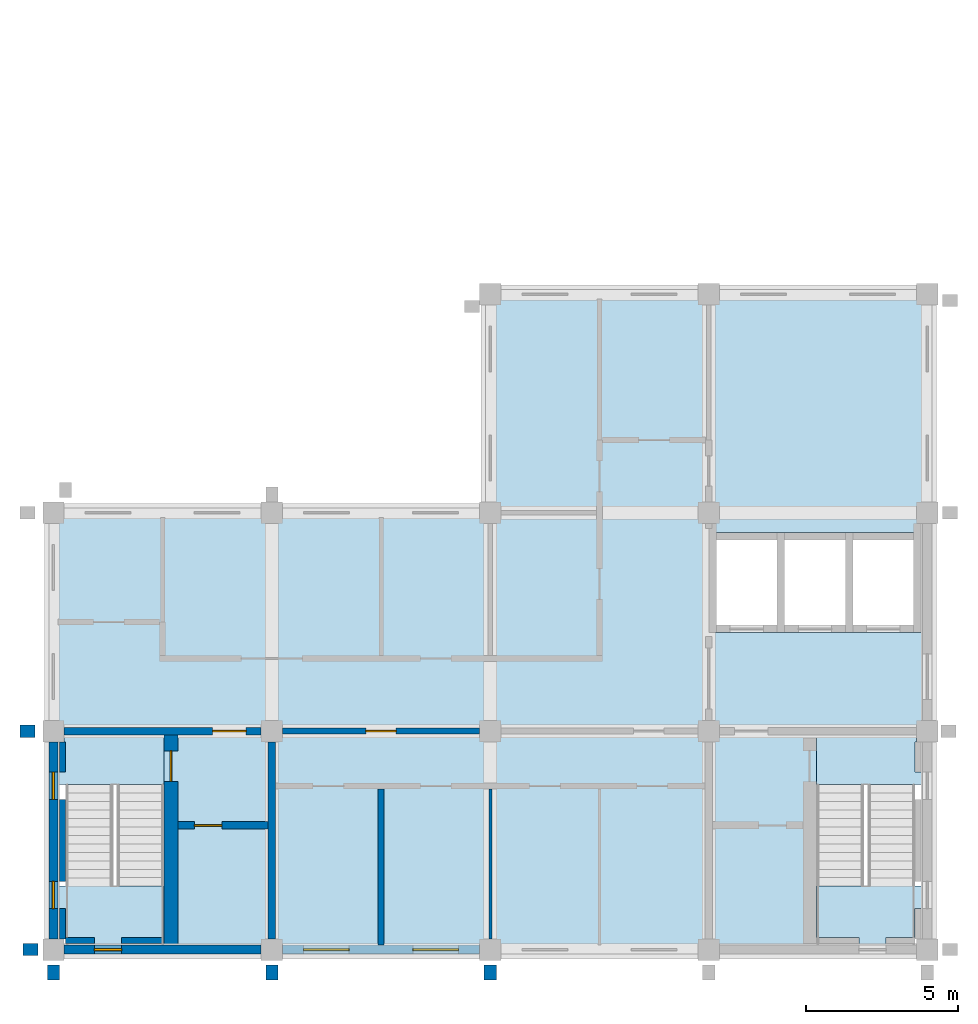
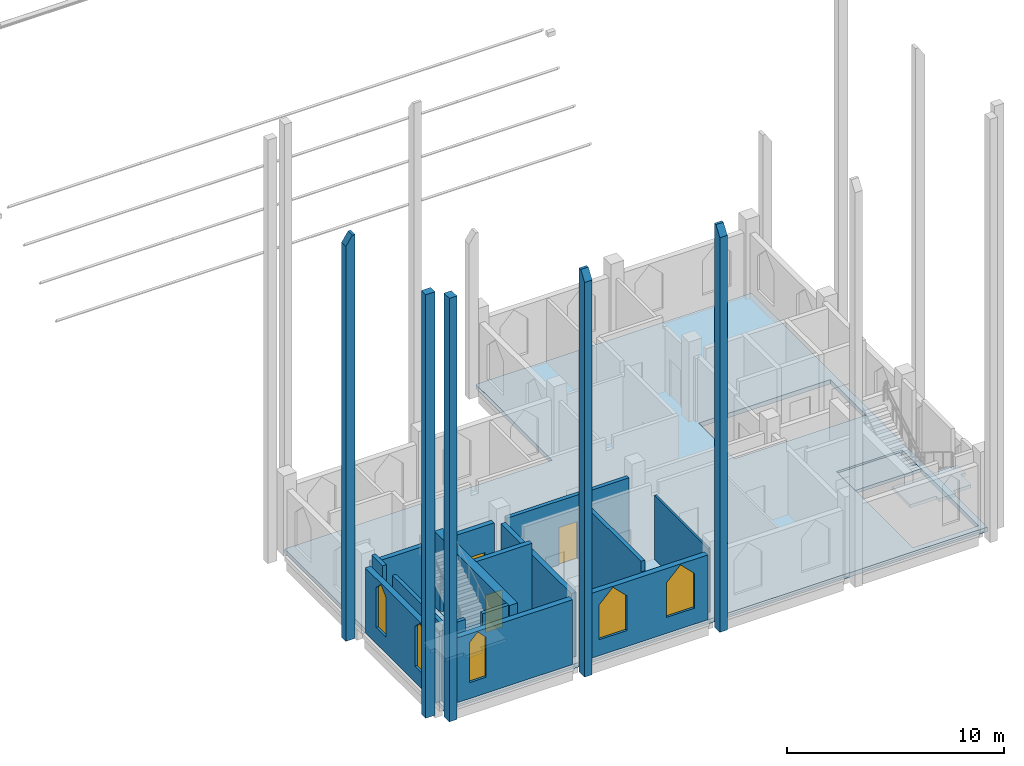
# One storey, part 3 of 7: 20 walls, 5 slabs, 5 windows, 4 doors, 9 openings, 2 elements without a shape of their own.
"""IFC4 building model written with IfcOpenShell, lengths in metres."""

from ifc_helpers import new_model, si_unit, direction, frame, frame_2d, origin, place, context, subcontext, project, spatial, polyline, rectangle, outline, extrude, material, layer, layer_set, type_object, element, fill, aggregate, save


model = new_model("IFC4")

# Units and contexts
model_context = context("Model", 3, precision=1e-05, world=origin(), true_north=direction((0.0, 1.0)))
body_context = subcontext(model_context, "Body", "Model", "MODEL_VIEW")
ifc_project = project(units=[si_unit("LENGTHUNIT", "METRE"), si_unit("AREAUNIT", "SQUARE_METRE"), si_unit("VOLUMEUNIT", "CUBIC_METRE"), si_unit("PLANEANGLEUNIT", "RADIAN"), si_unit("MASSUNIT", "GRAM", prefix="KILO")], contexts=[model_context])

# Site, building, storey
site_placement = place(None, origin())
site = spatial("IfcSite", under=ifc_project, at=site_placement, CompositionType="ELEMENT")
building_placement = place(site_placement, origin())
building = spatial("IfcBuilding", under=site, at=building_placement, Name="Silangan Lancet Faculty of Sciences", CompositionType="ELEMENT")
storey_placement = place(building_placement, frame((0.0, 0.0, 58.800048828125)))
storey = spatial("IfcBuildingStorey", under=building, at=storey_placement, Name="L12", CompositionType="ELEMENT", Elevation=58.800048828125)

# Slab
ifc_material_1 = material(Name="Concrete C35/45", Category="concrete")
ifc_layer_1 = layer(ifc_material_1, 0.25)
ifc_layer_set_1 = layer_set([ifc_layer_1], Name="Concrete C35/45")
slab_type_1 = type_object("IfcSlabType", Name="SLAB FLOOR 250", PredefinedType="FLOOR", material=ifc_layer_set_1)
slab_1_placement = place(storey_placement, frame((0.0, 0.0, -0.25)))
element("IfcSlab", 1, at=slab_1_placement, inside=storey, type_object=slab_type_1, Name="SLAB-L12-ST", PredefinedType="FLOOR", context=body_context, shape_type="SweptSolid", body=[
    extrude(outline(polyline([(0.0, 14.550048828125), (0.0, -0.14990234375), (28.949951171875, -0.14990234375), (28.949951171875, 21.60009765625), (14.25, 21.60009765625), (14.25, 14.550048828125), (0.0, 14.550048828125)]), holes=[polyline([(0.14990234375, 0.14990234375), (0.14990234375, 7.199951171875), (3.64990234375, 7.199951171875), (3.64990234375, 0.14990234375), (0.14990234375, 0.14990234375)]), polyline([(25.14990234375, 7.199951171875), (28.64990234375, 7.199951171875), (28.64990234375, 0.14990234375), (25.14990234375, 0.14990234375), (25.14990234375, 7.199951171875)]), polyline([(21.60009765625, 13.75), (28.60009765625, 13.75), (28.60009765625, 10.449951171875), (21.60009765625, 10.449951171875), (21.60009765625, 13.75)])]), origin(), (0.0, 0.0, 1.0), 0.25),
])

# Stair, slabs
ifc_material_2 = material(Name="Concrete C40/50", Category="concrete")
stair_type = type_object("IfcStairType", Name="TURRET STAIR 1550 TWO-FLIGHT", PredefinedType="HALF_TURN_STAIR", material=ifc_material_2)
stair_1_placement = place(storey_placement, origin())
stair_1 = element("IfcStair", 2, at=stair_1_placement, inside=storey, type_object=stair_type, Name="ST-A stair L12", PredefinedType="HALF_TURN_STAIR")
ifc_material_3 = material(Name="Concrete C40/50", Category="concrete")
ifc_layer_2 = layer(ifc_material_3, 0.179931640625)
ifc_layer_set_2 = layer_set([ifc_layer_2], Name="Concrete C40/50")
slab_type_2 = type_object("IfcSlabType", Name="TURRET STAIR LANDING RC 180", PredefinedType="LANDING", material=ifc_layer_set_2)
slab_2_placement = place(storey_placement, frame((0.0, 0.0, -0.179931640625)))
slab_2 = element("IfcSlab", 3, at=slab_2_placement, type_object=slab_type_2, Name="STR1 landing 1", PredefinedType="LANDING", context=body_context, shape_type="SweptSolid", body=[
    extrude(outline(polyline([(0.35009765625, 6.85009765625), (0.35009765625, 7.074951171875), (3.64990234375, 7.074951171875), (3.64990234375, 5.449951171875), (0.14990234375, 5.449951171875), (0.14990234375, 5.85009765625), (0.39990234375, 5.85009765625), (0.39990234375, 6.85009765625), (0.35009765625, 6.85009765625)])), origin(), (0.0, 0.0, 1.0), 0.179931640625),
])
slab_3_placement = place(storey_placement, frame((0.0, 0.0, 2.070068359375)))
slab_3 = element("IfcSlab", 4, at=slab_3_placement, type_object=slab_type_2, Name="STR1 landing 2", PredefinedType="LANDING", context=body_context, shape_type="SweptSolid", body=[
    extrude(outline(polyline([(1.35009765625, 0.14990234375), (1.35009765625, 0.39990234375), (0.39990234375, 0.39990234375), (0.39990234375, 1.35009765625), (0.14990234375, 1.35009765625), (0.14990234375, 2.090087890625), (3.64990234375, 2.090087890625), (3.64990234375, 0.39990234375), (2.25, 0.39990234375), (2.25, 0.14990234375), (1.35009765625, 0.14990234375)])), origin(), (0.0, 0.0, 1.0), 0.179931640625),
])
aggregate(stair_1, [slab_2, slab_3])

stair_2_placement = place(storey_placement, origin())
stair_2 = element("IfcStair", 5, at=stair_2_placement, inside=storey, type_object=stair_type, Name="ST-B stair L12", PredefinedType="HALF_TURN_STAIR")
slab_4_placement = place(storey_placement, frame((0.0, 0.0, -0.179931640625)))
slab_4 = element("IfcSlab", 6, at=slab_4_placement, type_object=slab_type_2, Name="STR2 landing 1", PredefinedType="LANDING", context=body_context, shape_type="SweptSolid", body=[
    extrude(outline(polyline([(28.39990234375, 6.85009765625), (28.39990234375, 5.85009765625), (28.64990234375, 5.85009765625), (28.64990234375, 5.449951171875), (25.14990234375, 5.449951171875), (25.14990234375, 7.074951171875), (28.449951171875, 7.074951171875), (28.449951171875, 6.85009765625), (28.39990234375, 6.85009765625)])), origin(), (0.0, 0.0, 1.0), 0.179931640625),
])
slab_5_placement = place(storey_placement, frame((0.0, 0.0, 2.070068359375)))
slab_5 = element("IfcSlab", 7, at=slab_5_placement, type_object=slab_type_2, Name="STR2 landing 2", PredefinedType="LANDING", context=body_context, shape_type="SweptSolid", body=[
    extrude(outline(polyline([(26.550048828125, 0.14990234375), (26.550048828125, 0.39990234375), (25.14990234375, 0.39990234375), (25.14990234375, 2.090087890625), (28.64990234375, 2.090087890625), (28.64990234375, 1.35009765625), (28.39990234375, 1.35009765625), (28.39990234375, 0.39990234375), (27.449951171875, 0.39990234375), (27.449951171875, 0.14990234375), (26.550048828125, 0.14990234375)])), origin(), (0.0, 0.0, 1.0), 0.179931640625),
])
aggregate(stair_2, [slab_4, slab_5])

# Wall, openings, windows
ifc_material_4 = material(Name="Concrete C40/50 precast", Category="concrete")
ifc_layer_3 = layer(ifc_material_4, 0.300048828125)
ifc_layer_set_3 = layer_set([ifc_layer_3], Name="Concrete C40/50 precast")
wall_type_1 = type_object("IfcWallType", Name="EW1 Precast cladding wall", PredefinedType="STANDARD", material=ifc_layer_set_3)
wall_1_placement = place(storey_placement, frame((7.550048828125, 0.0, 0.0), z_axis=(0.0, 0.0, 1.0), x_axis=(1.0, 0.0, 0.0)))
wall_1 = element("IfcWall", 8, at=wall_1_placement, inside=storey, type_object=wall_type_1, Name="EW-L12-S-ST-01", PredefinedType="STANDARD", context=body_context, shape_type="SweptSolid", body=[
    extrude(rectangle(XDim=6.5, YDim=0.300048828125, at=frame_2d((3.25, 0.0))), origin(), (0.0, 0.0, 1.0), 3.64990234375),
])
opening_1_placement = place(wall_1_placement, frame((0.699951171875, 0.0, 0.89990234375)))
opening_1 = element("IfcOpeningElement", 9, at=opening_1_placement, cuts=wall_1, Name="Opening W23", PredefinedType="OPENING", context=body_context, shape_type="SweptSolid", body=[
    extrude(outline(polyline([(0.0, 0.0), (1.5, 0.0), (1.5, 1.949951171875), (0.75, 2.699951171875), (0.0, 1.949951171875), (0.0, 0.0)])), frame((0.0, 0.159912109375, 0.0), z_axis=(0.0, -1.0, 0.0), x_axis=(1.0, 0.0, 0.0)), (0.0, 0.0, 1.0), 0.320068359375),
])
opening_2_placement = place(wall_1_placement, frame((4.300048828125, 0.0, 0.89990234375)))
opening_2 = element("IfcOpeningElement", 10, at=opening_2_placement, cuts=wall_1, Name="Opening W23", PredefinedType="OPENING", context=body_context, shape_type="SweptSolid", body=[
    extrude(outline(polyline([(0.0, 0.0), (1.5, 0.0), (1.5, 1.949951171875), (0.75, 2.699951171875), (0.0, 1.949951171875), (0.0, 0.0)])), frame((0.0, 0.159912109375, 0.0), z_axis=(0.0, -1.0, 0.0), x_axis=(1.0, 0.0, 0.0)), (0.0, 0.0, 1.0), 0.320068359375),
])
ifc_material_5 = material(Name="Aluminium frame, laminated double glazing", Category="aluminium")
window_type_1 = type_object("IfcWindowType", Name="W23 Lancet window 1500 x 2700", PartitioningType="SINGLE_PANEL", PredefinedType="WINDOW", material=ifc_material_5)
window_1_placement = place(opening_1_placement, origin())
window_1 = element("IfcWindow", 11, at=window_1_placement, inside=storey, type_object=window_type_1, Name="WIN-L12-S-ST-01a", OverallHeight=2.699951171875, OverallWidth=1.5, PartitioningType="SINGLE_PANEL", PredefinedType="WINDOW", context=body_context, shape_type="SweptSolid", body=[
    extrude(outline(polyline([(0.0, 0.0), (1.5, 0.0), (1.5, 1.949951171875), (0.75, 2.699951171875), (0.0, 1.949951171875), (0.0, 0.0)])), frame((0.0, 0.030029296875, 0.0), z_axis=(0.0, -1.0, 0.0), x_axis=(1.0, 0.0, 0.0)), (0.0, 0.0, 1.0), 0.06005859375),
])
fill(opening_1, window_1)
window_2_placement = place(opening_2_placement, origin())
window_2 = element("IfcWindow", 12, at=window_2_placement, inside=storey, type_object=window_type_1, Name="WIN-L12-S-ST-01b", OverallHeight=2.699951171875, OverallWidth=1.5, PartitioningType="SINGLE_PANEL", PredefinedType="WINDOW", context=body_context, shape_type="SweptSolid", body=[
    extrude(outline(polyline([(0.0, 0.0), (1.5, 0.0), (1.5, 1.949951171875), (0.75, 2.699951171875), (0.0, 1.949951171875), (0.0, 0.0)])), frame((0.0, 0.030029296875, 0.0), z_axis=(0.0, -1.0, 0.0), x_axis=(1.0, 0.0, 0.0)), (0.0, 0.0, 1.0), 0.06005859375),
])
fill(opening_2, window_2)

ifc_material_6 = material(Name="Concrete C40/50 precast", Category="concrete")
ifc_layer_4 = layer(ifc_material_6, 0.300048828125)
ifc_layer_set_4 = layer_set([ifc_layer_4], Name="Concrete C40/50 precast")
wall_type_2 = type_object("IfcWallType", Name="EW2 Turret enclosure wall", PredefinedType="STANDARD", material=ifc_layer_set_4)
wall_2_placement = place(storey_placement, frame((0.0, 0.35009765625, 0.0), z_axis=(0.0, 0.0, 1.0), x_axis=(0.0, 1.0, 0.0)))
wall_2 = element("IfcWall", 13, at=wall_2_placement, inside=storey, type_object=wall_type_2, Name="EW-L12-W-ST-U-00", PredefinedType="STANDARD", context=body_context, shape_type="SweptSolid", body=[
    extrude(rectangle(XDim=6.5, YDim=0.300048828125, at=frame_2d((3.25, 0.0))), origin(), (0.0, 0.0, 1.0), 3.64990234375),
])
opening_3_placement = place(wall_2_placement, frame((1.0, 0.0, 0.89990234375)))
opening_3 = element("IfcOpeningElement", 14, at=opening_3_placement, cuts=wall_2, Name="Opening W22", PredefinedType="OPENING", context=body_context, shape_type="SweptSolid", body=[
    extrude(outline(polyline([(0.0, 0.0), (0.89990234375, 0.0), (0.89990234375, 2.25), (0.449951171875, 2.699951171875), (0.0, 2.25), (0.0, 0.0)])), frame((0.0, 0.159912109375, 0.0), z_axis=(0.0, -1.0, 0.0), x_axis=(1.0, 0.0, 0.0)), (0.0, 0.0, 1.0), 0.320068359375),
])
opening_4_placement = place(wall_2_placement, frame((4.60009765625, 0.0, 0.89990234375)))
opening_4 = element("IfcOpeningElement", 15, at=opening_4_placement, cuts=wall_2, Name="Opening W22", PredefinedType="OPENING", context=body_context, shape_type="SweptSolid", body=[
    extrude(outline(polyline([(0.0, 0.0), (0.89990234375, 0.0), (0.89990234375, 2.25), (0.449951171875, 2.699951171875), (0.0, 2.25), (0.0, 0.0)])), frame((0.0, 0.159912109375, 0.0), z_axis=(0.0, -1.0, 0.0), x_axis=(1.0, 0.0, 0.0)), (0.0, 0.0, 1.0), 0.320068359375),
])
ifc_material_7 = material(Name="Aluminium frame, laminated double glazing", Category="aluminium")
window_type_2 = type_object("IfcWindowType", Name="W22 Lancet window 900 x 2700", PartitioningType="SINGLE_PANEL", PredefinedType="WINDOW", material=ifc_material_7)
window_3_placement = place(opening_3_placement, origin())
window_3 = element("IfcWindow", 16, at=window_3_placement, inside=storey, type_object=window_type_2, Name="WIN-L12-W-ST-U-00a", OverallHeight=2.699951171875, OverallWidth=0.89990234375, PartitioningType="SINGLE_PANEL", PredefinedType="WINDOW", context=body_context, shape_type="SweptSolid", body=[
    extrude(outline(polyline([(0.0, 0.0), (0.89990234375, 0.0), (0.89990234375, 2.25), (0.449951171875, 2.699951171875), (0.0, 2.25), (0.0, 0.0)])), frame((0.0, 0.030029296875, 0.0), z_axis=(0.0, -1.0, 0.0), x_axis=(1.0, 0.0, 0.0)), (0.0, 0.0, 1.0), 0.06005859375),
])
fill(opening_3, window_3)
window_4_placement = place(opening_4_placement, origin())
window_4 = element("IfcWindow", 17, at=window_4_placement, inside=storey, type_object=window_type_2, Name="WIN-L12-W-ST-U-00b", OverallHeight=2.699951171875, OverallWidth=0.89990234375, PartitioningType="SINGLE_PANEL", PredefinedType="WINDOW", context=body_context, shape_type="SweptSolid", body=[
    extrude(outline(polyline([(0.0, 0.0), (0.89990234375, 0.0), (0.89990234375, 2.25), (0.449951171875, 2.699951171875), (0.0, 2.25), (0.0, 0.0)])), frame((0.0, 0.030029296875, 0.0), z_axis=(0.0, -1.0, 0.0), x_axis=(1.0, 0.0, 0.0)), (0.0, 0.0, 1.0), 0.06005859375),
])
fill(opening_4, window_4)

# Wall, opening, window
wall_3_placement = place(storey_placement, frame((0.35009765625, 0.0, 0.0), z_axis=(0.0, 0.0, 1.0), x_axis=(1.0, 0.0, 0.0)))
wall_3 = element("IfcWall", 18, at=wall_3_placement, inside=storey, type_object=wall_type_2, Name="EW-L12-S-ST-00", PredefinedType="STANDARD", context=body_context, shape_type="SweptSolid", body=[
    extrude(rectangle(XDim=6.5, YDim=0.300048828125, at=frame_2d((3.25, 0.0))), origin(), (0.0, 0.0, 1.0), 3.64990234375),
])
opening_5_placement = place(wall_3_placement, frame((1.0, 0.0, 0.89990234375)))
opening_5 = element("IfcOpeningElement", 19, at=opening_5_placement, cuts=wall_3, Name="Opening W22", PredefinedType="OPENING", context=body_context, shape_type="SweptSolid", body=[
    extrude(outline(polyline([(0.0, 0.0), (0.89990234375, 0.0), (0.89990234375, 2.25), (0.449951171875, 2.699951171875), (0.0, 2.25), (0.0, 0.0)])), frame((0.0, 0.159912109375, 0.0), z_axis=(0.0, -1.0, 0.0), x_axis=(1.0, 0.0, 0.0)), (0.0, 0.0, 1.0), 0.320068359375),
])
window_5_placement = place(opening_5_placement, origin())
window_5 = element("IfcWindow", 20, at=window_5_placement, inside=storey, type_object=window_type_2, Name="WIN-L12-S-ST-00a", OverallHeight=2.699951171875, OverallWidth=0.89990234375, PartitioningType="SINGLE_PANEL", PredefinedType="WINDOW", context=body_context, shape_type="SweptSolid", body=[
    extrude(outline(polyline([(0.0, 0.0), (0.89990234375, 0.0), (0.89990234375, 2.25), (0.449951171875, 2.699951171875), (0.0, 2.25), (0.0, 0.0)])), frame((0.0, 0.030029296875, 0.0), z_axis=(0.0, -1.0, 0.0), x_axis=(1.0, 0.0, 0.0)), (0.0, 0.0, 1.0), 0.06005859375),
])
fill(opening_5, window_5)

# Walls
ifc_material_8 = material(Name="Concrete C40/50 precast", Category="concrete")
ifc_layer_5 = layer(ifc_material_8, 0.39990234375)
ifc_layer_set_5 = layer_set([ifc_layer_5], Name="Concrete C40/50 precast")
wall_type_3 = type_object("IfcWallType", Name="FN13 Buttress Fin column line stage 4 23850", PredefinedType="POLYGONAL", material=ifc_layer_set_5)
for number, where, z_axis, x_axis, name in (
    (21, (-0.5, 0.0, -0.25), (0.0, 0.0, 1.0), (-1.0, 0.0, 0.0), "FINC-W-ST-01-S4"),
    (22, (0.0, -0.5, -0.25), (0.0, 0.0, 1.0), (0.0, -1.0, 0.0), "FINC-S-ST-01-S4"),
):
    element("IfcWall", number, at=place(storey_placement, frame(where, z_axis=z_axis, x_axis=x_axis)), inside=storey, type_object=wall_type_3, Name=name, PredefinedType="POLYGONAL", context=body_context, shape_type="SweptSolid", body=[
        extrude(outline(polyline([(0.5, 0.0), (0.5, 23.849853515625), (0.0, 23.849853515625), (0.0, 0.0), (0.5, 0.0)])), frame((0.0, 0.199951171875, 0.0), z_axis=(0.0, -1.0, 0.0), x_axis=(1.0, 0.0, 0.0)), (0.0, 0.0, 1.0), 0.39990234375),
    ])
ifc_material_9 = material(Name="Concrete C40/50 precast", Category="concrete")
ifc_layer_6 = layer(ifc_material_9, 0.39990234375)
ifc_layer_set_6 = layer_set([ifc_layer_6], Name="Concrete C40/50 precast")
wall_type_4 = type_object("IfcWallType", Name="FN17 Buttress Fin column line stage 4 22750", PredefinedType="POLYGONAL", material=ifc_layer_set_6)
wall_4_placement = place(storey_placement, frame((-0.60009765625, 7.199951171875, -0.25), z_axis=(0.0, 0.0, 1.0), x_axis=(-1.0, 0.0, 0.0)))
element("IfcWall", 23, at=wall_4_placement, inside=storey, type_object=wall_type_4, Name="FINC-W-ST-02-S4", PredefinedType="POLYGONAL", context=body_context, shape_type="SweptSolid", body=[
    extrude(outline(polyline([(0.5, 0.0), (0.5, 22.224853515625), (0.14990234375, 22.75), (0.0, 22.75), (0.0, 0.0), (0.5, 0.0)])), frame((0.0, 0.199951171875, 0.0), z_axis=(0.0, -1.0, 0.0), x_axis=(1.0, 0.0, 0.0)), (0.0, 0.0, 1.0), 0.39990234375),
])
ifc_material_10 = material(Name="Concrete C40/50 precast", Category="concrete")
ifc_layer_7 = layer(ifc_material_10, 0.39990234375)
ifc_layer_set_7 = layer_set([ifc_layer_7], Name="Concrete C40/50 precast")
wall_type_5 = type_object("IfcWallType", Name="FN31 Buttress Fin column line stage 4 22750", PredefinedType="POLYGONAL", material=ifc_layer_set_7)
for number, where, z_axis, x_axis, name in (
    (24, (7.199951171875, -0.5, -0.25), (0.0, 0.0, 1.0), (0.0, -1.0, 0.0), "FINC-S-ST-02-S4"),
    (25, (14.39990234375, -0.5, -0.25), (0.0, 0.0, 1.0), (0.0, -1.0, 0.0), "FINC-S-ST-03-S4"),
):
    element("IfcWall", number, at=place(storey_placement, frame(where, z_axis=z_axis, x_axis=x_axis)), inside=storey, type_object=wall_type_5, Name=name, PredefinedType="POLYGONAL", context=body_context, shape_type="SweptSolid", body=[
        extrude(outline(polyline([(0.5, 0.0), (0.5, 22.224853515625), (0.14990234375, 22.75), (0.0, 22.75), (0.0, 0.0), (0.5, 0.0)])), frame((0.0, 0.199951171875, 0.0), z_axis=(0.0, -1.0, 0.0), x_axis=(1.0, 0.0, 0.0)), (0.0, 0.0, 1.0), 0.39990234375),
    ])

# Wall, opening, door
ifc_material_11 = material(Name="Hollow block masonry fm 7 MPa", Category="masonry")
ifc_layer_8 = layer(ifc_material_11, 0.199951171875)
ifc_layer_set_8 = layer_set([ifc_layer_8], Name="Hollow block masonry fm 7 MPa")
wall_type_6 = type_object("IfcWallType", Name="Interior wall PW1 Corridor wall CHB 200", PredefinedType="PARTITIONING", material=ifc_layer_set_8)
wall_5_placement = place(storey_placement, frame((7.550048828125, 7.199951171875, 0.0), z_axis=(0.0, 0.0, 1.0), x_axis=(1.0, 0.0, 0.0)))
wall_5 = element("IfcWall", 26, at=wall_5_placement, inside=storey, type_object=wall_type_6, Name="Corridor wall CHB 200", PredefinedType="PARTITIONING", context=body_context, shape_type="SweptSolid", body=[
    extrude(rectangle(XDim=6.5, YDim=0.199951171875, at=frame_2d((3.25, 0.0))), origin(), (0.0, 0.0, 1.0), 3.599853515625),
])
opening_6_placement = place(wall_5_placement, frame((2.75, 0.0, 0.0)))
opening_6 = element("IfcOpeningElement", 27, at=opening_6_placement, cuts=wall_5, Name="Opening L12-002", PredefinedType="OPENING", context=body_context, shape_type="SweptSolid", body=[
    extrude(rectangle(XDim=1.0, YDim=2.10009765625, at=frame_2d((0.5, 1.050048828125))), frame((0.0, 0.10986328125, 0.0), z_axis=(0.0, -1.0, 0.0), x_axis=(1.0, 0.0, 0.0)), (0.0, 0.0, 1.0), 0.219970703125),
])
ifc_material_12 = material(Name="Steel fire door set", Category="steel")
door_type_1 = type_object("IfcDoorType", Name="Door D1 Single leaf fire door 1000 x 2100", OperationType="SINGLE_SWING_LEFT", PredefinedType="DOOR", material=ifc_material_12)
door_1_placement = place(opening_6_placement, frame((1.0, 0.0, 0.0), z_axis=(0.0, 0.0, 1.0), x_axis=(-1.0, 0.0, 0.0)))
door_1 = element("IfcDoor", 28, at=door_1_placement, inside=storey, type_object=door_type_1, Name="Single leaf fire door 1000 x 2100", OperationType="SINGLE_SWING_LEFT", OverallHeight=2.10009765625, OverallWidth=1.0, PredefinedType="DOOR", context=body_context, shape_type="SweptSolid", body=[
    extrude(rectangle(XDim=1.0, YDim=2.10009765625, at=frame_2d((0.5, 1.050048828125))), frame((0.0, 0.025146484375, 0.0), z_axis=(0.0, -1.0, 0.0), x_axis=(1.0, 0.0, 0.0)), (0.0, 0.0, 1.0), 0.050048828125),
])
fill(opening_6, door_1)

# Walls
ifc_material_13 = material(Name="Hollow block masonry fm 7 MPa", Category="masonry")
ifc_layer_9 = layer(ifc_material_13, 0.199951171875)
ifc_layer_set_9 = layer_set([ifc_layer_9], Name="Hollow block masonry fm 7 MPa")
wall_type_7 = type_object("IfcWallType", Name="Interior wall PW4 Laboratory separation CHB 200", PredefinedType="PARTITIONING", material=ifc_layer_set_9)
wall_6_placement = place(storey_placement, frame((10.800048828125, 0.14990234375, 0.0), z_axis=(0.0, 0.0, 1.0), x_axis=(0.0, 1.0, 0.0)))
element("IfcWall", 29, at=wall_6_placement, inside=storey, type_object=wall_type_7, Name="Laboratory separation CHB 200", PredefinedType="PARTITIONING", context=body_context, shape_type="SweptSolid", body=[
    extrude(outline(polyline([(0.0, 0.0), (5.150146484375, 0.0), (5.150146484375, 4.25), (0.050048828125, 4.25), (0.050048828125, 3.64990234375), (0.0, 3.64990234375), (0.0, 0.0)])), frame((0.0, 0.10009765625, 0.0), z_axis=(0.0, -1.0, 0.0), x_axis=(1.0, 0.0, 0.0)), (0.0, 0.0, 1.0), 0.199951171875),
])
ifc_material_14 = material(Name="Hollow block masonry fm 7 MPa", Category="masonry")
ifc_layer_10 = layer(ifc_material_14, 0.10009765625)
ifc_layer_set_10 = layer_set([ifc_layer_10], Name="Hollow block masonry fm 7 MPa")
wall_type_8 = type_object("IfcWallType", Name="Interior wall PW8 WC partition CHB 100", PredefinedType="PARTITIONING", material=ifc_layer_set_10)
wall_7_placement = place(storey_placement, frame((14.39990234375, 0.35009765625, 0.0), z_axis=(0.0, 0.0, 1.0), x_axis=(0.0, 1.0, 0.0)))
element("IfcWall", 30, at=wall_7_placement, inside=storey, type_object=wall_type_8, Name="WC partition CHB 100", PredefinedType="PARTITIONING", context=body_context, shape_type="SweptSolid", body=[
    extrude(rectangle(XDim=4.949951171875, YDim=0.10009765625, at=frame_2d((2.47509765625, 0.0))), origin(), (0.0, 0.0, 1.0), 3.599853515625),
])

# Wall, opening, door
ifc_material_15 = material(Name="Concrete C40/50", Category="concrete")
ifc_layer_11 = layer(ifc_material_15, 0.449951171875)
ifc_layer_set_11 = layer_set([ifc_layer_11], Name="Concrete C40/50")
wall_type_9 = type_object("IfcWallType", Name="TURRET CORE WALL RC 450", PredefinedType="SHEAR", material=ifc_layer_set_11)
wall_8_placement = place(storey_placement, frame((3.875, 0.14990234375, 0.0), z_axis=(0.0, 0.0, 1.0), x_axis=(0.0, 1.0, 0.0)))
wall_8 = element("IfcWall", 31, at=wall_8_placement, inside=storey, type_object=wall_type_9, Name="WALL-L12-ST-A-WELL", PredefinedType="SHEAR", context=body_context, shape_type="SweptSolid", body=[
    extrude(rectangle(XDim=6.925048828125, YDim=0.449951171875, at=frame_2d((3.46240234375, 0.0))), origin(), (0.0, 0.0, 1.0), 4.25),
])
opening_7_placement = place(wall_8_placement, frame((5.39990234375, 0.0, 0.0)))
opening_7 = element("IfcOpeningElement", 32, at=opening_7_placement, cuts=wall_8, Name="Opening L12-701", PredefinedType="OPENING", context=body_context, shape_type="SweptSolid", body=[
    extrude(rectangle(XDim=1.0, YDim=2.10009765625, at=frame_2d((0.5, 1.050048828125))), frame((0.0, 0.23486328125, 0.0), z_axis=(0.0, -1.0, 0.0), x_axis=(1.0, 0.0, 0.0)), (0.0, 0.0, 1.0), 0.469970703125),
])
ifc_material_16 = material(Name="Steel fire door set", Category="steel")
door_type_2 = type_object("IfcDoorType", Name="D71 Stair enclosure door 1000x2100", OperationType="SINGLE_SWING_LEFT", PredefinedType="DOOR", material=ifc_material_16)
door_2_placement = place(opening_7_placement, origin())
door_2 = element("IfcDoor", 33, at=door_2_placement, inside=storey, type_object=door_type_2, Name="Stair enclosure door ST-A L12", OperationType="SINGLE_SWING_RIGHT", OverallHeight=2.10009765625, OverallWidth=1.0, PredefinedType="DOOR", context=body_context, shape_type="SweptSolid", body=[
    extrude(rectangle(XDim=1.0, YDim=2.10009765625, at=frame_2d((0.5, 1.050048828125))), frame((0.0, 0.02490234375, 0.0), z_axis=(0.0, -1.0, 0.0), x_axis=(1.0, 0.0, 0.0)), (0.0, 0.0, 1.0), 0.050048828125),
])
fill(opening_7, door_2)

# Walls
ifc_material_17 = material(Name="Concrete C40/50", Category="concrete")
ifc_layer_12 = layer(ifc_material_17, 0.199951171875)
ifc_layer_set_12 = layer_set([ifc_layer_12], Name="Concrete C40/50")
wall_type_10 = type_object("IfcWallType", Name="TURRET LINING WALL RC 200", PredefinedType="SHEAR", material=ifc_layer_set_12)
wall_9_placement = place(storey_placement, frame((0.300048828125, 0.35009765625, -0.25), z_axis=(0.0, 0.0, 1.0), x_axis=(0.0, 1.0, 0.0)))
element("IfcWall", 34, at=wall_9_placement, inside=storey, type_object=wall_type_10, Name="WALL-L12-ST-A-WL", PredefinedType="SHEAR", context=body_context, shape_type="SweptSolid", body=[
    extrude(rectangle(XDim=1.0, YDim=0.199951171875, at=frame_2d((0.5, 0.0))), origin(), (0.0, 0.0, 1.0), 4.5),
])
wall_10_placement = place(storey_placement, frame((0.300048828125, 2.25, -0.25), z_axis=(0.0, 0.0, 1.0), x_axis=(0.0, 1.0, 0.0)))
element("IfcWall", 35, at=wall_10_placement, inside=storey, type_object=wall_type_10, Name="WALL-L12-ST-A-WL-2", PredefinedType="SHEAR", context=body_context, shape_type="SweptSolid", body=[
    extrude(rectangle(XDim=2.699951171875, YDim=0.199951171875, at=frame_2d((1.35009765625, 0.0))), origin(), (0.0, 0.0, 1.0), 4.5),
])
wall_11_placement = place(storey_placement, frame((0.300048828125, 5.85009765625, -0.25), z_axis=(0.0, 0.0, 1.0), x_axis=(0.0, 1.0, 0.0)))
element("IfcWall", 36, at=wall_11_placement, inside=storey, type_object=wall_type_10, Name="WALL-L12-ST-A-WL-3", PredefinedType="SHEAR", context=body_context, shape_type="SweptSolid", body=[
    extrude(rectangle(XDim=1.0, YDim=0.199951171875, at=frame_2d((0.5, 0.0))), origin(), (0.0, 0.0, 1.0), 4.5),
])
wall_12_placement = place(storey_placement, frame((0.39990234375, 0.300048828125, -0.25), z_axis=(0.0, 0.0, 1.0), x_axis=(1.0, 0.0, 0.0)))
element("IfcWall", 37, at=wall_12_placement, inside=storey, type_object=wall_type_10, Name="WALL-L12-ST-A-WLD", PredefinedType="SHEAR", context=body_context, shape_type="SweptSolid", body=[
    extrude(rectangle(XDim=0.9501953125, YDim=0.199951171875, at=frame_2d((0.47509765625, 0.0))), origin(), (0.0, 0.0, 1.0), 4.5),
])
wall_13_placement = place(storey_placement, frame((2.25, 0.300048828125, -0.25), z_axis=(0.0, 0.0, 1.0), x_axis=(1.0, 0.0, 0.0)))
element("IfcWall", 38, at=wall_13_placement, inside=storey, type_object=wall_type_10, Name="WALL-L12-ST-A-WLD-2", PredefinedType="SHEAR", context=body_context, shape_type="SweptSolid", body=[
    extrude(rectangle(XDim=1.39990234375, YDim=0.199951171875, at=frame_2d((0.699951171875, 0.0))), origin(), (0.0, 0.0, 1.0), 4.5),
])

# Wall, opening, door
ifc_material_18 = material(Name="Concrete C40/50", Category="concrete")
ifc_layer_13 = layer(ifc_material_18, 0.25)
ifc_layer_set_13 = layer_set([ifc_layer_13], Name="Concrete C40/50")
wall_type_11 = type_object("IfcWallType", Name="TURRET WALL RC 250", PredefinedType="SHEAR", material=ifc_layer_set_13)
wall_14_placement = place(storey_placement, frame((0.35009765625, 7.199951171875, 0.0), z_axis=(0.0, 0.0, 1.0), x_axis=(1.0, 0.0, 0.0)))
wall_14 = element("IfcWall", 39, at=wall_14_placement, inside=storey, type_object=wall_type_11, Name="WALL-L12-ST-A-V", PredefinedType="SHEAR", context=body_context, shape_type="SweptSolid", body=[
    extrude(rectangle(XDim=6.5, YDim=0.25, at=frame_2d((3.25, 0.0))), origin(), (0.0, 0.0, 1.0), 3.599853515625),
])
opening_8_placement = place(wall_14_placement, frame((4.89990234375, 0.0, 0.0)))
opening_8 = element("IfcOpeningElement", 40, at=opening_8_placement, cuts=wall_14, Name="Opening L12-702", PredefinedType="OPENING", context=body_context, shape_type="SweptSolid", body=[
    extrude(rectangle(XDim=1.10009765625, YDim=2.10009765625, at=frame_2d((0.550048828125, 1.050048828125))), frame((0.0, 0.135009765625, 0.0), z_axis=(0.0, -1.0, 0.0), x_axis=(1.0, 0.0, 0.0)), (0.0, 0.0, 1.0), 0.27001953125),
])
ifc_material_19 = material(Name="Steel fire door set", Category="steel")
door_type_3 = type_object("IfcDoorType", Name="D70 Stair vestibule door 1100x2100", OperationType="SINGLE_SWING_LEFT", PredefinedType="DOOR", material=ifc_material_19)
door_3_placement = place(opening_8_placement, frame((1.10009765625, 0.0, 0.0), z_axis=(0.0, 0.0, 1.0), x_axis=(-1.0, 0.0, 0.0)))
door_3 = element("IfcDoor", 41, at=door_3_placement, inside=storey, type_object=door_type_3, Name="Stair vestibule door ST-A L12", OperationType="SINGLE_SWING_LEFT", OverallHeight=2.10009765625, OverallWidth=1.10009765625, PredefinedType="DOOR", context=body_context, shape_type="SweptSolid", body=[
    extrude(rectangle(XDim=1.10009765625, YDim=2.10009765625, at=frame_2d((0.550048828125, 1.050048828125))), frame((0.0, 0.025146484375, 0.0), z_axis=(0.0, -1.0, 0.0), x_axis=(1.0, 0.0, 0.0)), (0.0, 0.0, 1.0), 0.050048828125),
])
fill(opening_8, door_3)

# Wall
wall_15_placement = place(storey_placement, frame((7.199951171875, 0.35009765625, 0.0), z_axis=(0.0, 0.0, 1.0), x_axis=(0.0, 1.0, 0.0)))
element("IfcWall", 42, at=wall_15_placement, inside=storey, type_object=wall_type_11, Name="WALL-L12-ST-A-O", PredefinedType="SHEAR", context=body_context, shape_type="SweptSolid", body=[
    extrude(rectangle(XDim=6.5, YDim=0.25, at=frame_2d((3.25, 0.0))), origin(), (0.0, 0.0, 1.0), 3.599853515625),
])

# Wall, opening, door
wall_16_placement = place(storey_placement, frame((4.10009765625, 4.10009765625, 0.0), z_axis=(0.0, 0.0, 1.0), x_axis=(1.0, 0.0, 0.0)))
wall_16 = element("IfcWall", 43, at=wall_16_placement, inside=storey, type_object=wall_type_11, Name="WALL-L12-ST-A-RISER", PredefinedType="SHEAR", context=body_context, shape_type="SweptSolid", body=[
    extrude(rectangle(XDim=2.974853515625, YDim=0.25, at=frame_2d((1.4873046875, 0.0))), origin(), (0.0, 0.0, 1.0), 4.25),
])
opening_9_placement = place(wall_16_placement, frame((0.550048828125, 0.0, 0.0)))
opening_9 = element("IfcOpeningElement", 44, at=opening_9_placement, cuts=wall_16, Name="Opening L12-703", PredefinedType="OPENING", context=body_context, shape_type="SweptSolid", body=[
    extrude(rectangle(XDim=0.89990234375, YDim=2.10009765625, at=frame_2d((0.449951171875, 1.050048828125))), frame((0.0, 0.135009765625, 0.0), z_axis=(0.0, -1.0, 0.0), x_axis=(1.0, 0.0, 0.0)), (0.0, 0.0, 1.0), 0.27001953125),
])
ifc_material_20 = material(Name="Steel fire door set", Category="steel")
door_type_4 = type_object("IfcDoorType", Name="D72 Riser access door 900x2100", OperationType="SINGLE_SWING_LEFT", PredefinedType="DOOR", material=ifc_material_20)
door_4_placement = place(opening_9_placement, frame((0.89990234375, 0.0, 0.0), z_axis=(0.0, 0.0, 1.0), x_axis=(-1.0, 0.0, 0.0)))
door_4 = element("IfcDoor", 45, at=door_4_placement, inside=storey, type_object=door_type_4, Name="Riser access door ST-A L12", OperationType="SINGLE_SWING_LEFT", OverallHeight=2.10009765625, OverallWidth=0.89990234375, PredefinedType="DOOR", context=body_context, shape_type="SweptSolid", body=[
    extrude(rectangle(XDim=0.89990234375, YDim=2.10009765625, at=frame_2d((0.449951171875, 1.050048828125))), frame((0.0, 0.025146484375, 0.0), z_axis=(0.0, -1.0, 0.0), x_axis=(1.0, 0.0, 0.0)), (0.0, 0.0, 1.0), 0.050048828125),
])
fill(opening_9, door_4)

save(model, "model.ifc")
